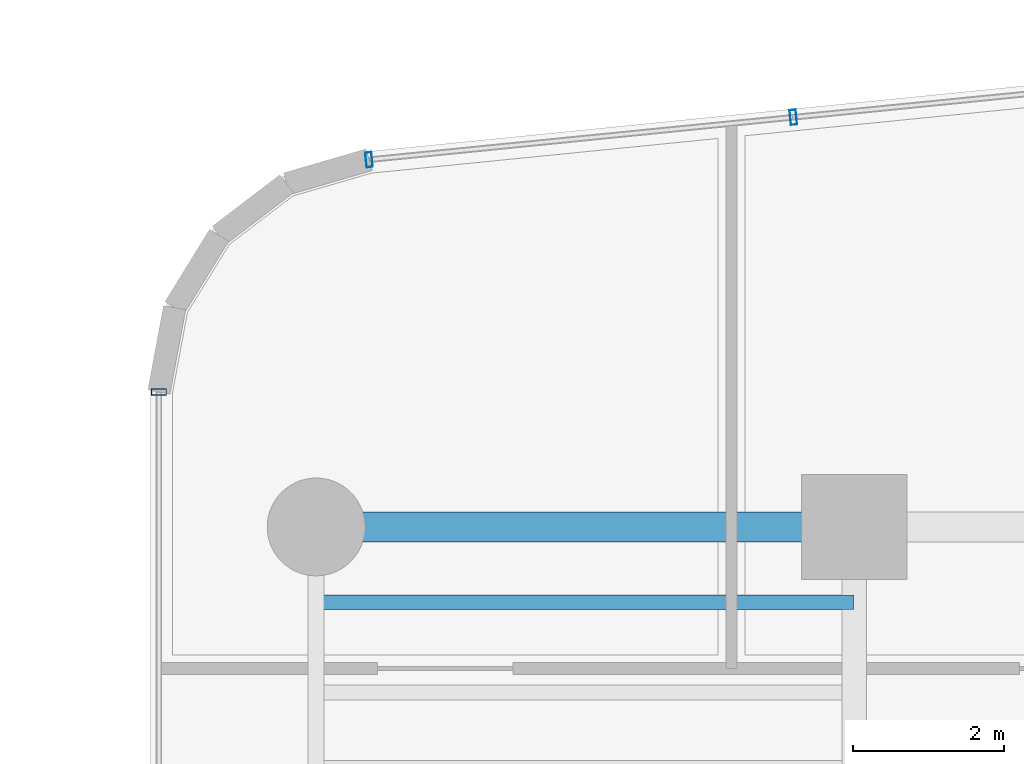
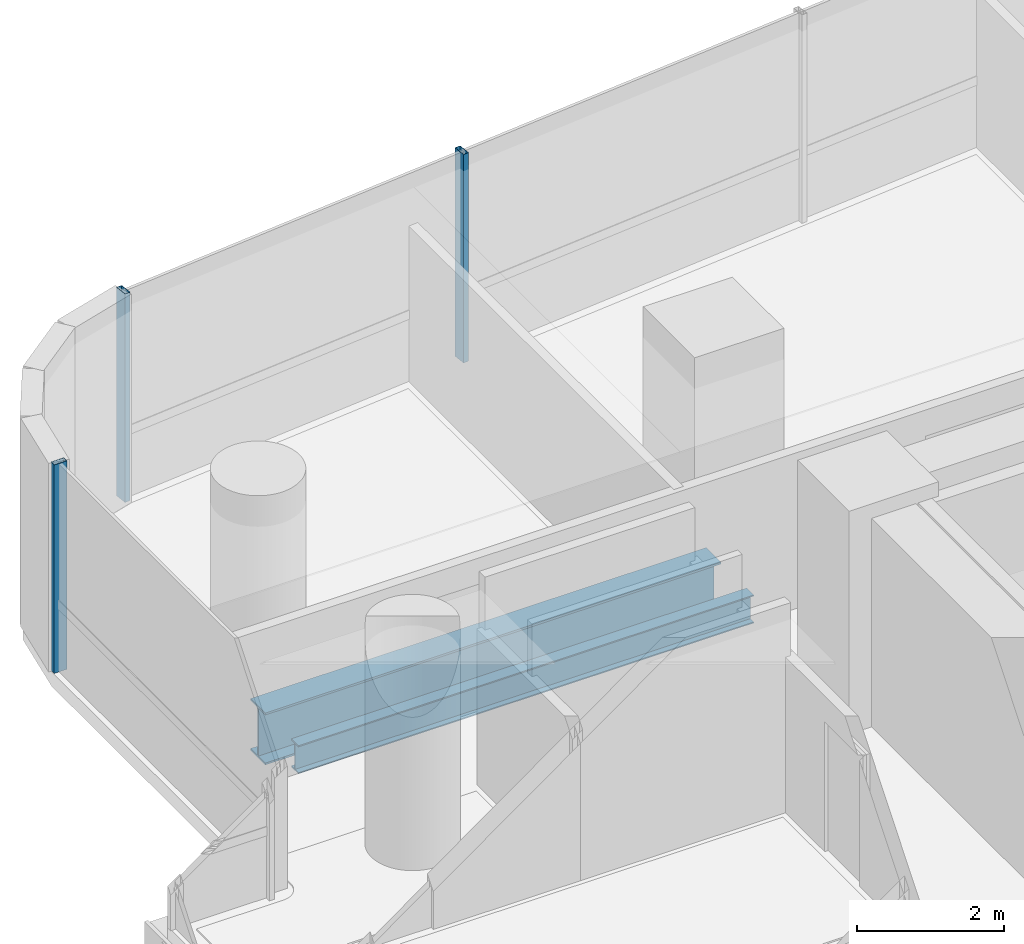
# One storey, part 17 of 39: 3 members, 2 beams, 2 elements without a shape of their own.
"""IFC4 building model written with IfcOpenShell, lengths in metres."""

from ifc_helpers import new_model, si_unit, direction, frame, origin, origin_2d, place, context, subcontext, project, spatial, hollow_rectangle, i_section, extrude, source, transform, mapped, material, material_profile, profile_set, type_object, element, aggregate, save


model = new_model("IFC4")

# Units and contexts
model_context = context("Model", 3, precision=1e-05, world=origin(), true_north=direction((0.0, 1.0)))
body_context = subcontext(model_context, "Body", "Model", "MODEL_VIEW")
ifc_project = project(units=[si_unit("LENGTHUNIT", "METRE"), si_unit("AREAUNIT", "SQUARE_METRE"), si_unit("VOLUMEUNIT", "CUBIC_METRE"), si_unit("PLANEANGLEUNIT", "RADIAN"), si_unit("MASSUNIT", "GRAM", prefix="KILO")], contexts=[model_context])

# Site, building, storey
site_placement = place(None, origin())
site = spatial("IfcSite", under=ifc_project, at=site_placement, CompositionType="ELEMENT")
building_placement = place(site_placement, origin())
building = spatial("IfcBuilding", under=site, at=building_placement, Name="Valdorenza Pilgrim Sanctuary Tower", CompositionType="ELEMENT")
storey_placement = place(building_placement, frame((0.0, 0.0, 77.800048828125)))
storey = spatial("IfcBuildingStorey", under=building, at=storey_placement, Name="L19", CompositionType="ELEMENT", Elevation=77.800048828125)

# Beams
ifc_material_1 = material(Name="Steel ASTM A992 Grade 50", Category="steel")
ifc_material_profile_1 = material_profile(ifc_material_1, i_section(OverallWidth=0.193115234375, OverallDepth=0.466064453125, WebThickness=0.011474609375, FlangeThickness=0.01904296875, at=origin_2d()), Name="W18X65")
ifc_profile_set_1 = profile_set([ifc_material_profile_1], Name="Steel ASTM A992 Grade 50")
beam_type_1 = type_object("IfcBeamType", Name="STR-BM-JST-W18A", PredefinedType="JOIST", material=ifc_profile_set_1)
shared_shape_1 = source(origin(), body_context, "Body", "SweptSolid", [
    extrude(i_section(OverallWidth=0.193115234375, OverallDepth=0.466064453125, WebThickness=0.011474609375, FlangeThickness=0.01904296875, at=origin_2d()), origin(), (0.0, 0.0, 1.0), 7.150146484375),
])
beam_1_placement = place(storey_placement, frame((-29.800048828125, 13.800048828125, -0.47314453125), z_axis=(1.0, 0.0, 0.0), x_axis=(0.0, 1.0, 0.0)))
element("IfcBeam", 1, at=beam_1_placement, inside=storey, type_object=beam_type_1, Name="L19 Composite Floor Joist JST-WA-26", PredefinedType="JOIST", context=body_context, shape_type="MappedRepresentation", body=[
    mapped(shared_shape_1, transform((0.0, 0.0, 0.0), x_axis=(1.0, 0.0, 0.0), y_axis=(0.0, 1.0, 0.0), z_axis=(0.0, 0.0, 1.0), scale=1.0)),
])
ifc_material_profile_2 = material_profile(ifc_material_1, i_section(OverallWidth=0.39990234375, OverallDepth=0.862060546875, WebThickness=0.019775390625, FlangeThickness=0.032470703125, at=origin_2d()), Name="W33X221")
ifc_profile_set_2 = profile_set([ifc_material_profile_2], Name="Steel ASTM A992 Grade 50")
beam_type_2 = type_object("IfcBeamType", Name="STR-BM-GRD-W33", PredefinedType="BEAM", material=ifc_profile_set_2)
shared_shape_2 = source(origin(), body_context, "Body", "SweptSolid", [
    extrude(i_section(OverallWidth=0.39990234375, OverallDepth=0.862060546875, WebThickness=0.019775390625, FlangeThickness=0.032470703125, at=origin_2d()), origin(), (0.0, 0.0, 1.0), 7.150146484375),
])
beam_2_placement = place(storey_placement, frame((-29.800048828125, 14.800048828125, -0.671142578125), z_axis=(1.0, 0.0, 0.0), x_axis=(0.0, 1.0, 0.0)))
element("IfcBeam", 2, at=beam_2_placement, inside=storey, type_object=beam_type_2, Name="L19 Floor Girder WA-XW-N2", PredefinedType="BEAM", context=body_context, shape_type="MappedRepresentation", body=[
    mapped(shared_shape_2, transform((0.0, 0.0, 0.0), x_axis=(1.0, 0.0, 0.0), y_axis=(0.0, 1.0, 0.0), z_axis=(0.0, 0.0, 1.0), scale=1.0)),
])

# Curtain wall, member
ifc_material_2 = material(Name="Curtain-wall IGU glazing", Category="glass")
curtain_wall_type = type_object("IfcCurtainWallType", Name="CW-SYS-02", PredefinedType="NOTDEFINED", material=ifc_material_2)
curtain_wall_1_placement = place(storey_placement, origin())
curtain_wall_1 = element("IfcCurtainWall", 3, at=curtain_wall_1_placement, inside=storey, type_object=curtain_wall_type, Name="L19 Curtain Wall CW-L19-1-1S2", PredefinedType="NOTDEFINED")
ifc_material_3 = material(Name="Anodised aluminium AW-6060", Category="aluminium")
ifc_material_profile_3 = material_profile(ifc_material_3, hollow_rectangle(XDim=0.0849609375, YDim=0.199951171875, WallThickness=0.0048828125, at=origin_2d()), Name="ALU-M 200x85x5")
ifc_profile_set_3 = profile_set([ifc_material_profile_3], Name="Anodised aluminium AW-6060")
member_type = type_object("IfcMemberType", Name="CW-MUL-02", PredefinedType="MULLION", material=ifc_profile_set_3)
shared_shape_3 = source(origin(), body_context, "Body", "SweptSolid", [
    extrude(hollow_rectangle(XDim=0.0849609375, YDim=0.199951171875, WallThickness=0.0048828125, at=origin_2d()), origin(), (0.0, 0.0, 1.0), 3.4599609375),
])
member_1_placement = place(storey_placement, frame((-31.889892578125, 16.593994140625, 0.0), z_axis=(0.0, 0.0, 1.0), x_axis=(0.0, 1.0, 0.0)))
member_1 = element("IfcMember", 4, at=member_1_placement, type_object=member_type, Name="CW-L19-1-1S2 Mullion 2", PredefinedType="MULLION", context=body_context, shape_type="MappedRepresentation", body=[
    mapped(shared_shape_3, transform((0.0, 0.0, 0.0), x_axis=(1.0, 0.0, 0.0), y_axis=(0.0, 1.0, 0.0), z_axis=(0.0, 0.0, 1.0), scale=1.0)),
])
aggregate(curtain_wall_1, [member_1])

# Curtain wall, members
curtain_wall_2_placement = place(storey_placement, origin())
curtain_wall_2 = element("IfcCurtainWall", 5, at=curtain_wall_2_placement, inside=storey, type_object=curtain_wall_type, Name="L19 Curtain Wall CW-L19-1-6", PredefinedType="NOTDEFINED")
member_2_placement = place(storey_placement, frame((-29.097412109375, 19.6796875, 0.0), z_axis=(0.0, 0.0, 1.0), x_axis=(0.995038220239, 0.099493418189, 0.0)))
member_2 = element("IfcMember", 6, at=member_2_placement, type_object=member_type, Name="CW-L19-1-6 Mullion 1", PredefinedType="MULLION", context=body_context, shape_type="MappedRepresentation", body=[
    mapped(shared_shape_3, transform((0.0, 0.0, 0.0), x_axis=(1.0, 0.0, 0.0), y_axis=(0.0, 1.0, 0.0), z_axis=(0.0, 0.0, 1.0), scale=1.0)),
])
member_3_placement = place(storey_placement, frame((-23.458984375, 20.24365234375, 0.0), z_axis=(0.0, 0.0, 1.0), x_axis=(0.995038220239, 0.099493418189, 0.0)))
member_3 = element("IfcMember", 7, at=member_3_placement, type_object=member_type, Name="CW-L19-1-6 Mullion 2", PredefinedType="MULLION", context=body_context, shape_type="MappedRepresentation", body=[
    mapped(shared_shape_3, transform((0.0, 0.0, 0.0), x_axis=(1.0, 0.0, 0.0), y_axis=(0.0, 1.0, 0.0), z_axis=(0.0, 0.0, 1.0), scale=1.0)),
])
aggregate(curtain_wall_2, [member_2, member_3])

save(model, "model.ifc")
